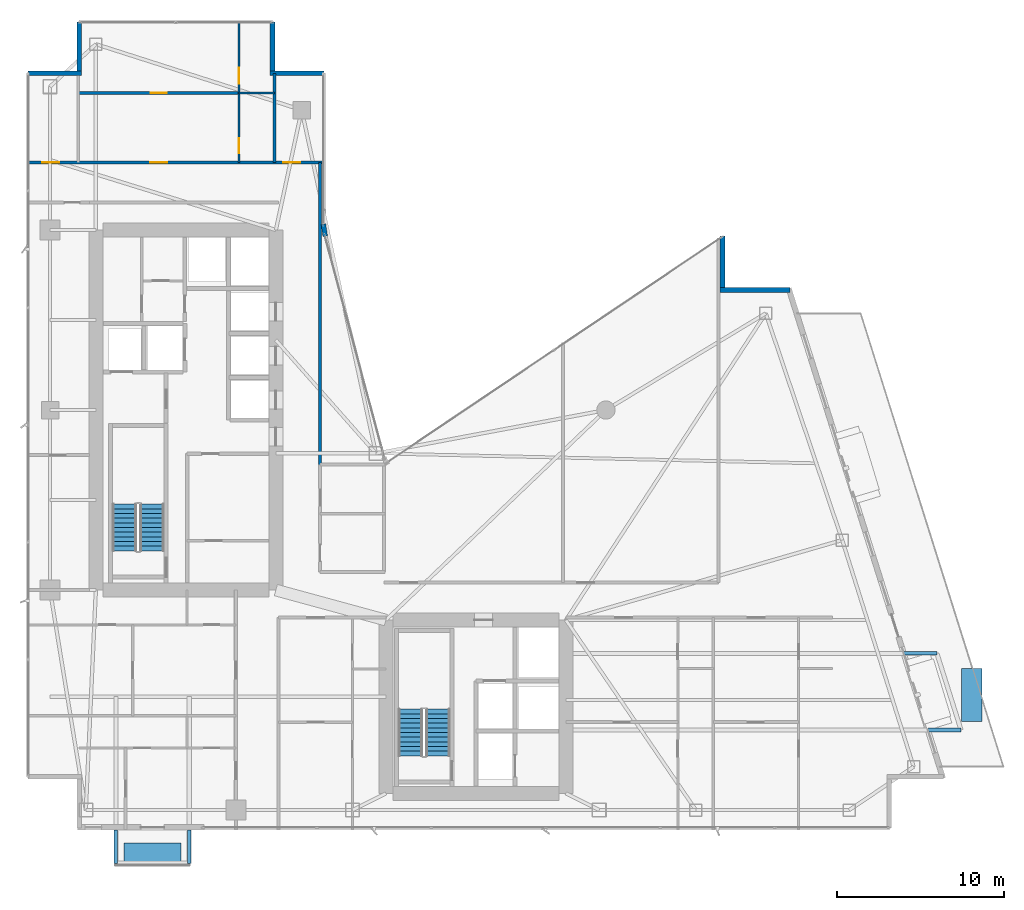
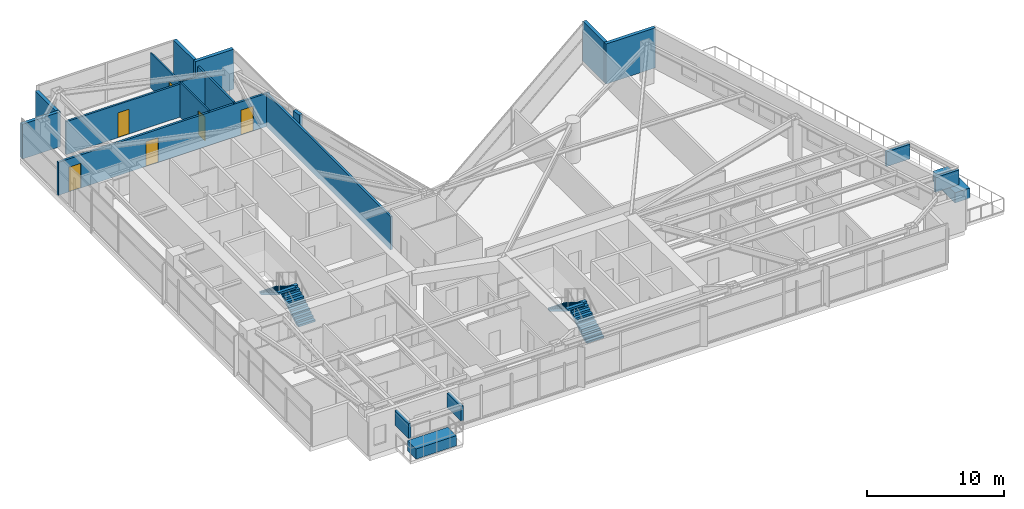
# One storey, part 27 of 30: 13 walls, 6 discrete accessories, 6 doors, 4 stair flights, 6 openings, 2 elements without a shape of their own.
"""IFC4 building model written with IfcOpenShell, lengths in metres."""

from ifc_helpers import new_model, si_unit, direction, frame, frame_2d, origin, origin_2d, place, context, subcontext, project, spatial, polyline, rectangle, outline, extrude, material, layer, layer_set, type_object, element, fill, aggregate, save


model = new_model("IFC4")

# Units and contexts
model_context = context("Model", 3, precision=1e-05, world=origin(), true_north=direction((0.0, 1.0)))
body_context = subcontext(model_context, "Body", "Model", "MODEL_VIEW")
ifc_project = project(units=[si_unit("LENGTHUNIT", "METRE"), si_unit("AREAUNIT", "SQUARE_METRE"), si_unit("VOLUMEUNIT", "CUBIC_METRE"), si_unit("PLANEANGLEUNIT", "RADIAN"), si_unit("MASSUNIT", "GRAM", prefix="KILO")], contexts=[model_context])

# Site, building, storey
site_placement = place(None, origin())
site = spatial("IfcSite", under=ifc_project, at=site_placement, CompositionType="ELEMENT")
building_placement = place(site_placement, origin())
building = spatial("IfcBuilding", under=site, at=building_placement, Name="Calvorn Quay Hotel", CompositionType="ELEMENT")
storey_placement = place(building_placement, frame((0.0, 0.0, 191.300048828125)))
storey = spatial("IfcBuildingStorey", under=building, at=storey_placement, Name="L47", CompositionType="ELEMENT", Elevation=191.300048828125)

# Wall, openings, doors
ifc_material_1 = material(Name="Acoustic Fireboard Steel-Stud Partition", Category="steel")
ifc_layer_1 = layer(ifc_material_1, 0.179931640625)
ifc_layer_set_1 = layer_set([ifc_layer_1], Name="WL-CORR-FIRE-180")
wall_type_1 = type_object("IfcWallType", Name="WL-CORR-FIRE-180", PredefinedType="PARTITIONING", material=ifc_layer_set_1)
wall_1_placement = place(storey_placement, frame((0.080078125, 42.449951171875, 0.0), z_axis=(0.0, 0.0, 1.0), x_axis=(1.0, 0.0, 0.0)))
wall_1 = element("IfcWall", 1, at=wall_1_placement, inside=storey, type_object=wall_type_1, Name="Partition Wall L47-WL-CORR-NW-N", PredefinedType="PARTITIONING", context=body_context, shape_type="SweptSolid", body=[
    extrude(rectangle(XDim=17.77001953125, YDim=0.179931640625, at=frame_2d((8.885009765625, 0.0))), origin(), (0.0, 0.0, 1.0), 2.93994140625),
])
opening_1_placement = place(wall_1_placement, frame((0.89990234375, 0.0, 0.0)))
opening_1 = element("IfcOpeningElement", 2, at=opening_1_placement, cuts=wall_1, Name="Opening D-L47-NWW", PredefinedType="OPENING", context=body_context, shape_type="SweptSolid", body=[
    extrude(rectangle(XDim=1.02001953125, YDim=2.199951171875, at=frame_2d((0.510009765625, 1.10009765625))), frame((0.0, 0.099853515625, 0.0), z_axis=(0.0, -1.0, 0.0), x_axis=(1.0, 0.0, 0.0)), (0.0, 0.0, 1.0), 0.199951171875),
])
opening_2_placement = place(wall_1_placement, frame((7.3798828125, 0.0, 0.0)))
opening_2 = element("IfcOpeningElement", 3, at=opening_2_placement, cuts=wall_1, Name="Opening D-L47-U04", PredefinedType="OPENING", context=body_context, shape_type="SweptSolid", body=[
    extrude(rectangle(XDim=1.02001953125, YDim=2.199951171875, at=frame_2d((0.510009765625, 1.10009765625))), frame((0.0, 0.099853515625, 0.0), z_axis=(0.0, -1.0, 0.0), x_axis=(1.0, 0.0, 0.0)), (0.0, 0.0, 1.0), 0.199951171875),
])
opening_3_placement = place(wall_1_placement, frame((15.3701171875, 0.0, 0.0)))
opening_3 = element("IfcOpeningElement", 4, at=opening_3_placement, cuts=wall_1, Name="Opening D-L47-NWE", PredefinedType="OPENING", context=body_context, shape_type="SweptSolid", body=[
    extrude(rectangle(XDim=1.02001953125, YDim=2.199951171875, at=frame_2d((0.510009765625, 1.10009765625))), frame((0.0, 0.099853515625, 0.0), z_axis=(0.0, -1.0, 0.0), x_axis=(1.0, 0.0, 0.0)), (0.0, 0.0, 1.0), 0.199951171875),
])
ifc_material_2 = material(Name="Solid-Core Walnut Veneer Hotel Fire Door")
door_type_1 = type_object("IfcDoorType", Name="DR-GUEST-ENTRY-1020", OperationType="NOTDEFINED", PredefinedType="DOOR", material=ifc_material_2)
door_1_placement = place(opening_1_placement, origin())
door_1 = element("IfcDoor", 5, at=door_1_placement, inside=storey, type_object=door_type_1, Name="West Corner Study Door (L47)", OperationType="SINGLE_SWING_LEFT", OverallHeight=2.199951171875, OverallWidth=1.02001953125, PredefinedType="DOOR", context=body_context, shape_type="SweptSolid", body=[
    extrude(rectangle(XDim=1.02001953125, YDim=2.199951171875, at=frame_2d((0.510009765625, 1.10009765625))), frame((0.0, 0.02490234375, 0.0), z_axis=(0.0, -1.0, 0.0), x_axis=(1.0, 0.0, 0.0)), (0.0, 0.0, 1.0), 0.050048828125),
])
fill(opening_1, door_1)
door_2_placement = place(opening_2_placement, origin())
door_2 = element("IfcDoor", 6, at=door_2_placement, inside=storey, type_object=door_type_1, Name="North-West Unit Door U04 (L47)", OperationType="SINGLE_SWING_RIGHT", OverallHeight=2.199951171875, OverallWidth=1.02001953125, PredefinedType="DOOR", context=body_context, shape_type="SweptSolid", body=[
    extrude(rectangle(XDim=1.02001953125, YDim=2.199951171875, at=frame_2d((0.510009765625, 1.10009765625))), frame((0.0, 0.02490234375, 0.0), z_axis=(0.0, -1.0, 0.0), x_axis=(1.0, 0.0, 0.0)), (0.0, 0.0, 1.0), 0.050048828125),
])
fill(opening_2, door_2)
door_3_placement = place(opening_3_placement, origin())
door_3 = element("IfcDoor", 7, at=door_3_placement, inside=storey, type_object=door_type_1, Name="Inner Court Study Door (L47)", OperationType="SINGLE_SWING_RIGHT", OverallHeight=2.199951171875, OverallWidth=1.02001953125, PredefinedType="DOOR", context=body_context, shape_type="SweptSolid", body=[
    extrude(rectangle(XDim=1.02001953125, YDim=2.199951171875, at=frame_2d((0.510009765625, 1.10009765625))), frame((0.0, 0.02490234375, 0.0), z_axis=(0.0, -1.0, 0.0), x_axis=(1.0, 0.0, 0.0)), (0.0, 0.0, 1.0), 0.050048828125),
])
fill(opening_3, door_3)

# Walls
wall_2_placement = place(storey_placement, frame((17.64990234375, 24.300048828125, 0.0), z_axis=(0.0, 0.0, 1.0), x_axis=(0.0, 1.0, 0.0)))
element("IfcWall", 8, at=wall_2_placement, inside=storey, type_object=wall_type_1, Name="Partition Wall L47-WL-NW-CLOSURE-E", PredefinedType="PARTITIONING", context=body_context, shape_type="SweptSolid", body=[
    extrude(rectangle(XDim=18.14990234375, YDim=0.179931640625, at=frame_2d((9.074951171875, 0.0))), origin(), (0.0, 0.0, 1.0), 2.93994140625),
])
ifc_material_3 = material(Name="Moisture-Resistant Tile-Backed Partition")
ifc_layer_2 = layer(ifc_material_3, 0.125)
ifc_layer_set_2 = layer_set([ifc_layer_2], Name="WL-ENSUITE-125")
wall_type_2 = type_object("IfcWallType", Name="WL-ENSUITE-125", PredefinedType="PARTITIONING", material=ifc_layer_set_2)
wall_3_placement = place(storey_placement, frame((12.7900390625, 46.6201171875, 0.0), z_axis=(0.0, 0.0, 1.0), x_axis=(1.0, 0.0, 0.0)))
element("IfcWall", 9, at=wall_3_placement, inside=storey, type_object=wall_type_2, Name="Partition Wall L47-WL-U04-BDV", PredefinedType="PARTITIONING", context=body_context, shape_type="SweptSolid", body=[
    extrude(rectangle(XDim=2.1298828125, YDim=0.125, at=frame_2d((1.06494140625, 0.0))), origin(), (0.0, 0.0, 1.0), 3.08984375),
])

# Wall, openings, doors
wall_4_placement = place(storey_placement, frame((12.7900390625, 42.449951171875, 0.0), z_axis=(0.0, 0.0, 1.0), x_axis=(0.0, 1.0, 0.0)))
wall_4 = element("IfcWall", 10, at=wall_4_placement, inside=storey, type_object=wall_type_2, Name="Partition Wall L47-WL-U04-BV", PredefinedType="PARTITIONING", context=body_context, shape_type="SweptSolid", body=[
    extrude(rectangle(XDim=8.489990234375, YDim=0.125, at=frame_2d((4.2451171875, 0.0))), origin(), (0.0, 0.0, 1.0), 3.08984375),
])
opening_4_placement = place(wall_4_placement, frame((0.550048828125, 0.0, 0.0)))
opening_4 = element("IfcOpeningElement", 11, at=opening_4_placement, cuts=wall_4, Name="Opening D-L47-E04", PredefinedType="OPENING", context=body_context, shape_type="SweptSolid", body=[
    extrude(rectangle(XDim=0.89990234375, YDim=2.14990234375, at=frame_2d((0.449951171875, 1.074951171875))), frame((0.0, 0.072509765625, 0.0), z_axis=(0.0, -1.0, 0.0), x_axis=(1.0, 0.0, 0.0)), (0.0, 0.0, 1.0), 0.14501953125),
])
opening_5_placement = place(wall_4_placement, frame((4.719970703125, 0.0, 0.0)))
opening_5 = element("IfcOpeningElement", 12, at=opening_5_placement, cuts=wall_4, Name="Opening D-L47-S04", PredefinedType="OPENING", context=body_context, shape_type="SweptSolid", body=[
    extrude(rectangle(XDim=0.9599609375, YDim=2.199951171875, at=frame_2d((0.47998046875, 1.10009765625))), frame((0.0, 0.072509765625, 0.0), z_axis=(0.0, -1.0, 0.0), x_axis=(1.0, 0.0, 0.0)), (0.0, 0.0, 1.0), 0.14501953125),
])
ifc_material_4 = material(Name="Moisture-Sealed Timber En-Suite Door", Category="wood")
door_type_2 = type_object("IfcDoorType", Name="DR-ENSUITE-900", OperationType="NOTDEFINED", PredefinedType="DOOR", material=ifc_material_4)
door_4_placement = place(opening_4_placement, origin())
door_4 = element("IfcDoor", 13, at=door_4_placement, inside=storey, type_object=door_type_2, Name="En-Suite Door 04", OperationType="SINGLE_SWING_LEFT", OverallHeight=2.14990234375, OverallWidth=0.89990234375, PredefinedType="DOOR", context=body_context, shape_type="SweptSolid", body=[
    extrude(rectangle(XDim=0.89990234375, YDim=2.14990234375, at=frame_2d((0.449951171875, 1.074951171875))), frame((0.0, 0.02490234375, 0.0), z_axis=(0.0, -1.0, 0.0), x_axis=(1.0, 0.0, 0.0)), (0.0, 0.0, 1.0), 0.050048828125),
])
fill(opening_4, door_4)
ifc_material_5 = material(Name="Solid Timber Internal Suite Door", Category="wood")
door_type_3 = type_object("IfcDoorType", Name="DR-SUITE-INT-960", OperationType="NOTDEFINED", PredefinedType="DOOR", material=ifc_material_5)
door_5_placement = place(opening_5_placement, origin())
door_5 = element("IfcDoor", 14, at=door_5_placement, inside=storey, type_object=door_type_3, Name="Harbour Dining Den Door 04", OperationType="SINGLE_SWING_RIGHT", OverallHeight=2.199951171875, OverallWidth=0.9599609375, PredefinedType="DOOR", context=body_context, shape_type="SweptSolid", body=[
    extrude(rectangle(XDim=0.9599609375, YDim=2.199951171875, at=frame_2d((0.47998046875, 1.10009765625))), frame((0.0, 0.02490234375, 0.0), z_axis=(0.0, -1.0, 0.0), x_axis=(1.0, 0.0, 0.0)), (0.0, 0.0, 1.0), 0.050048828125),
])
fill(opening_5, door_5)

# Walls
ifc_material_6 = material(Name="Concrete C40", Category="concrete")
ifc_layer_3 = layer(ifc_material_6, 0.320068359375)
ifc_layer_set_3 = layer_set([ifc_layer_3], Name="WL-EXT-SPANDREL-320")
wall_type_3 = type_object("IfcWallType", Name="WL-EXT-SPANDREL-320", PredefinedType="SOLIDWALL", material=ifc_layer_set_3)
wall_5_placement = place(storey_placement, frame((17.9619140625, 38.030029296875, 0.0), z_axis=(0.0, 0.0, 1.0), x_axis=(-0.15141125477, 0.988470855377, 0.0)))
element("IfcWall", 15, at=wall_5_placement, inside=storey, type_object=wall_type_3, Name="Inner Court Corner Pier L47-ICJ2", PredefinedType="SOLIDWALL", context=body_context, shape_type="SweptSolid", body=[
    extrude(rectangle(XDim=0.738525390625, YDim=0.280029296875, at=frame_2d((0.369140625, 0.0))), origin(), (0.0, 0.0, 1.0), 3.56005859375),
])
wall_6_placement = place(storey_placement, frame((45.840087890625, 34.800048828125, 0.0), z_axis=(0.0, 0.0, 1.0), x_axis=(-1.0, 0.0, 0.0)))
element("IfcWall", 16, at=wall_6_placement, inside=storey, type_object=wall_type_3, Name="Notched Corner Spandrel L47-NE1", PredefinedType="SOLIDWALL", context=body_context, shape_type="SweptSolid", body=[
    extrude(rectangle(XDim=4.18017578125, YDim=0.280029296875, at=frame_2d((2.090087890625, 0.0))), origin(), (0.0, 0.0, 1.0), 3.56005859375),
])
wall_7_placement = place(storey_placement, frame((41.800048828125, 34.93994140625, 0.0), z_axis=(0.0, 0.0, 1.0), x_axis=(0.0, 1.0, 0.0)))
element("IfcWall", 17, at=wall_7_placement, inside=storey, type_object=wall_type_3, Name="Notched Corner Spandrel L47-NE2", PredefinedType="SOLIDWALL", context=body_context, shape_type="SweptSolid", body=[
    extrude(rectangle(XDim=3.10009765625, YDim=0.280029296875, at=frame_2d((1.550048828125, 0.0))), origin(), (0.0, 0.0, 1.0), 3.56005859375),
])
wall_8_placement = place(storey_placement, frame((17.89990234375, 47.800048828125, 0.0), z_axis=(0.0, 0.0, 1.0), x_axis=(-1.0, 0.0, 0.0)))
element("IfcWall", 18, at=wall_8_placement, inside=storey, type_object=wall_type_3, Name="Notched Corner Spandrel L47-NWE1", PredefinedType="SOLIDWALL", context=body_context, shape_type="SweptSolid", body=[
    extrude(rectangle(XDim=3.239990234375, YDim=0.280029296875, at=frame_2d((1.6201171875, 0.0))), origin(), (0.0, 0.0, 1.0), 3.56005859375),
])
wall_9_placement = place(storey_placement, frame((14.800048828125, 47.93994140625, 0.0), z_axis=(0.0, 0.0, 1.0), x_axis=(0.0, 1.0, 0.0)))
element("IfcWall", 19, at=wall_9_placement, inside=storey, type_object=wall_type_3, Name="Notched Corner Spandrel L47-NWE2", PredefinedType="SOLIDWALL", context=body_context, shape_type="SweptSolid", body=[
    extrude(rectangle(XDim=2.93994140625, YDim=0.280029296875, at=frame_2d((1.469970703125, 0.0))), origin(), (0.0, 0.0, 1.0), 3.56005859375),
])
wall_10_placement = place(storey_placement, frame((3.199951171875, 50.8798828125, 0.0), z_axis=(0.0, 0.0, 1.0), x_axis=(0.0, -1.0, 0.0)))
element("IfcWall", 20, at=wall_10_placement, inside=storey, type_object=wall_type_3, Name="Notched Corner Spandrel L47-NW1", PredefinedType="SOLIDWALL", context=body_context, shape_type="SweptSolid", body=[
    extrude(rectangle(XDim=2.93994140625, YDim=0.280029296875, at=frame_2d((1.469970703125, 0.0))), origin(), (0.0, 0.0, 1.0), 3.08984375),
])
wall_11_placement = place(storey_placement, frame((3.340087890625, 47.800048828125, 0.0), z_axis=(0.0, 0.0, 1.0), x_axis=(-1.0, 0.0, 0.0)))
element("IfcWall", 21, at=wall_11_placement, inside=storey, type_object=wall_type_3, Name="Notched Corner Spandrel L47-NW2", PredefinedType="SOLIDWALL", context=body_context, shape_type="SweptSolid", body=[
    extrude(rectangle(XDim=3.219970703125, YDim=0.280029296875, at=frame_2d((1.60986328125, 0.0))), origin(), (0.0, 0.0, 1.0), 3.08984375),
])
ifc_material_7 = material(Name="Double-Stud Acoustic Gypsum Partition")
ifc_layer_4 = layer(ifc_material_7, 0.159912109375)
ifc_layer_set_4 = layer_set([ifc_layer_4], Name="WL-INTERSUITE-160")
wall_type_4 = type_object("IfcWallType", Name="WL-INTERSUITE-160", PredefinedType="PARTITIONING", material=ifc_layer_set_4)
wall_12_placement = place(storey_placement, frame((14.919921875, 42.449951171875, 0.0), z_axis=(0.0, 0.0, 1.0), x_axis=(0.0, 1.0, 0.0)))
element("IfcWall", 22, at=wall_12_placement, inside=storey, type_object=wall_type_4, Name="Partition Wall L47-WL-NW-DIV-E0", PredefinedType="PARTITIONING", context=body_context, shape_type="SweptSolid", body=[
    extrude(rectangle(XDim=5.35009765625, YDim=0.159912109375, at=frame_2d((2.675048828125, 0.0))), origin(), (0.0, 0.0, 1.0), 3.08984375),
])

# Wall, opening, door
wall_13_placement = place(storey_placement, frame((3.14990234375, 46.6201171875, 0.0), z_axis=(0.0, 0.0, 1.0), x_axis=(1.0, 0.0, 0.0)))
wall_13 = element("IfcWall", 23, at=wall_13_placement, inside=storey, type_object=wall_type_4, Name="Partition Wall L47-WL-U04-MSP", PredefinedType="PARTITIONING", context=body_context, shape_type="SweptSolid", body=[
    extrude(rectangle(XDim=9.64013671875, YDim=0.159912109375, at=frame_2d((4.820068359375, 0.0))), origin(), (0.0, 0.0, 1.0), 2.93994140625),
])
opening_6_placement = place(wall_13_placement, frame((4.340087890625, 0.0, 0.0)))
opening_6 = element("IfcOpeningElement", 24, at=opening_6_placement, cuts=wall_13, Name="Opening D-L47-M04", PredefinedType="OPENING", context=body_context, shape_type="SweptSolid", body=[
    extrude(rectangle(XDim=0.9599609375, YDim=2.199951171875, at=frame_2d((0.47998046875, 1.10009765625))), frame((0.0, 0.08984375, 0.0), z_axis=(0.0, -1.0, 0.0), x_axis=(1.0, 0.0, 0.0)), (0.0, 0.0, 1.0), 0.179931640625),
])
door_6_placement = place(opening_6_placement, origin())
door_6 = element("IfcDoor", 25, at=door_6_placement, inside=storey, type_object=door_type_3, Name="Suite Bedroom Door 04", OperationType="SINGLE_SWING_LEFT", OverallHeight=2.199951171875, OverallWidth=0.9599609375, PredefinedType="DOOR", context=body_context, shape_type="SweptSolid", body=[
    extrude(rectangle(XDim=0.9599609375, YDim=2.199951171875, at=frame_2d((0.47998046875, 1.10009765625))), frame((0.0, 0.02490234375, 0.0), z_axis=(0.0, -1.0, 0.0), x_axis=(1.0, 0.0, 0.0)), (0.0, 0.0, 1.0), 0.050048828125),
])
fill(opening_6, door_6)

# Stair, stair flights
ifc_material_8 = material(Name="Concrete C40", Category="concrete")
stair_type = type_object("IfcStairType", Name="STR-CORE-DOGLEG", PredefinedType="HALF_TURN_STAIR", material=ifc_material_8)
stair_1_placement = place(storey_placement, origin())
stair_1 = element("IfcStair", 26, at=stair_1_placement, inside=storey, type_object=stair_type, Name="L47 ST-W", PredefinedType="HALF_TURN_STAIR")
ifc_material_9 = material(Name="Concrete C40", Category="concrete")
stair_flight_type = type_object("IfcStairFlightType", Name="FLT-CORE-1550", PredefinedType="STRAIGHT", material=ifc_material_9)
stair_flight_1_placement = place(storey_placement, frame((7.574951171875, 19.14990234375, 0.0), z_axis=(0.0, 0.0, 1.0), x_axis=(0.0, 1.0, 0.0)))
stair_flight_1 = element("IfcStairFlight", 27, at=stair_flight_1_placement, type_object=stair_flight_type, Name="ST-W flight 1", NumberOfRisers=11, NumberOfTreads=10, PredefinedType="STRAIGHT", RiserHeight=0.172727273, TreadLength=0.28, context=body_context, shape_type="SweptSolid", body=[
    extrude(outline(polyline([(0.0, 0.0), (0.0, 0.172607421875), (0.280029296875, 0.172607421875), (0.280029296875, 0.345458984375), (0.56005859375, 0.345458984375), (0.56005859375, 0.51806640625), (0.840087890625, 0.51806640625), (0.840087890625, 0.69091796875), (1.1201171875, 0.69091796875), (1.1201171875, 0.863525390625), (1.39990234375, 0.863525390625), (1.39990234375, 1.036376953125), (1.679931640625, 1.036376953125), (1.679931640625, 1.208984375), (1.9599609375, 1.208984375), (1.9599609375, 1.3818359375), (2.239990234375, 1.3818359375), (2.239990234375, 1.554443359375), (2.52001953125, 1.554443359375), (2.52001953125, 1.727294921875), (2.800048828125, 1.727294921875), (2.800048828125, 1.89990234375), (2.800048828125, 1.551025390625), (0.285400390625, 0.0), (0.0, 0.0)])), frame((0.0, 0.72509765625, 0.0), z_axis=(0.0, -1.0, 0.0), x_axis=(1.0, 0.0, 0.0)), (0.0, 0.0, 1.0), 1.449951171875),
])
stair_flight_2_placement = place(storey_placement, frame((5.925048828125, 21.949951171875, 1.89990234375), z_axis=(0.0, 0.0, 1.0), x_axis=(0.0, -1.0, 0.0)))
stair_flight_2 = element("IfcStairFlight", 28, at=stair_flight_2_placement, type_object=stair_flight_type, Name="ST-W flight 2", NumberOfRisers=11, NumberOfTreads=10, PredefinedType="STRAIGHT", RiserHeight=0.172727273, TreadLength=0.28, context=body_context, shape_type="SweptSolid", body=[
    extrude(outline(polyline([(0.0, 0.0), (0.0, 0.172607421875), (0.280029296875, 0.172607421875), (0.280029296875, 0.345458984375), (0.56005859375, 0.345458984375), (0.56005859375, 0.51806640625), (0.840087890625, 0.51806640625), (0.840087890625, 0.69091796875), (1.1201171875, 0.69091796875), (1.1201171875, 0.863525390625), (1.39990234375, 0.863525390625), (1.39990234375, 1.036376953125), (1.679931640625, 1.036376953125), (1.679931640625, 1.208984375), (1.9599609375, 1.208984375), (1.9599609375, 1.3818359375), (2.239990234375, 1.3818359375), (2.239990234375, 1.554443359375), (2.52001953125, 1.554443359375), (2.52001953125, 1.727294921875), (2.800048828125, 1.727294921875), (2.800048828125, 1.89990234375), (2.800048828125, 1.551025390625), (0.285400390625, 0.0), (0.0, 0.0)])), frame((0.0, 0.72509765625, 0.0), z_axis=(0.0, -1.0, 0.0), x_axis=(1.0, 0.0, 0.0)), (0.0, 0.0, 1.0), 1.449951171875),
])
aggregate(stair_1, [stair_flight_1, stair_flight_2])

stair_2_placement = place(storey_placement, origin())
stair_2 = element("IfcStair", 29, at=stair_2_placement, inside=storey, type_object=stair_type, Name="L47 ST-E", PredefinedType="HALF_TURN_STAIR")
stair_flight_3_placement = place(storey_placement, frame((24.72509765625, 6.85009765625, 0.0), z_axis=(0.0, 0.0, 1.0), x_axis=(0.0, 1.0, 0.0)))
stair_flight_3 = element("IfcStairFlight", 30, at=stair_flight_3_placement, type_object=stair_flight_type, Name="ST-E flight 1", NumberOfRisers=11, NumberOfTreads=10, PredefinedType="STRAIGHT", RiserHeight=0.172727273, TreadLength=0.28, context=body_context, shape_type="SweptSolid", body=[
    extrude(outline(polyline([(0.0, 0.0), (0.0, 0.172607421875), (0.280029296875, 0.172607421875), (0.280029296875, 0.345458984375), (0.56005859375, 0.345458984375), (0.56005859375, 0.51806640625), (0.840087890625, 0.51806640625), (0.840087890625, 0.69091796875), (1.1201171875, 0.69091796875), (1.1201171875, 0.863525390625), (1.39990234375, 0.863525390625), (1.39990234375, 1.036376953125), (1.679931640625, 1.036376953125), (1.679931640625, 1.208984375), (1.9599609375, 1.208984375), (1.9599609375, 1.3818359375), (2.239990234375, 1.3818359375), (2.239990234375, 1.554443359375), (2.52001953125, 1.554443359375), (2.52001953125, 1.727294921875), (2.800048828125, 1.727294921875), (2.800048828125, 1.89990234375), (2.800048828125, 1.551025390625), (0.285400390625, 0.0), (0.0, 0.0)])), frame((0.0, 0.72509765625, 0.0), z_axis=(0.0, -1.0, 0.0), x_axis=(1.0, 0.0, 0.0)), (0.0, 0.0, 1.0), 1.449951171875),
])
stair_flight_4_placement = place(storey_placement, frame((23.074951171875, 9.64990234375, 1.89990234375), z_axis=(0.0, 0.0, 1.0), x_axis=(0.0, -1.0, 0.0)))
stair_flight_4 = element("IfcStairFlight", 31, at=stair_flight_4_placement, type_object=stair_flight_type, Name="ST-E flight 2", NumberOfRisers=11, NumberOfTreads=10, PredefinedType="STRAIGHT", RiserHeight=0.172727273, TreadLength=0.28, context=body_context, shape_type="SweptSolid", body=[
    extrude(outline(polyline([(0.0, 0.0), (0.0, 0.172607421875), (0.280029296875, 0.172607421875), (0.280029296875, 0.345458984375), (0.56005859375, 0.345458984375), (0.56005859375, 0.51806640625), (0.840087890625, 0.51806640625), (0.840087890625, 0.69091796875), (1.1201171875, 0.69091796875), (1.1201171875, 0.863525390625), (1.39990234375, 0.863525390625), (1.39990234375, 1.036376953125), (1.679931640625, 1.036376953125), (1.679931640625, 1.208984375), (1.9599609375, 1.208984375), (1.9599609375, 1.3818359375), (2.239990234375, 1.3818359375), (2.239990234375, 1.554443359375), (2.52001953125, 1.554443359375), (2.52001953125, 1.727294921875), (2.800048828125, 1.727294921875), (2.800048828125, 1.89990234375), (2.800048828125, 1.551025390625), (0.285400390625, 0.0), (0.0, 0.0)])), frame((0.0, 0.72509765625, 0.0), z_axis=(0.0, -1.0, 0.0), x_axis=(1.0, 0.0, 0.0)), (0.0, 0.0, 1.0), 1.449951171875),
])
aggregate(stair_2, [stair_flight_3, stair_flight_4])

# Discrete accessories
ifc_material_10 = material(Name="Steel Q355B", Category="steel")
discrete_accessory_type_1 = type_object("IfcDiscreteAccessoryType", Name="ACC-BALC-STRUT", PredefinedType="BRACKET", material=ifc_material_10)
for number, where, z_axis, x_axis, name in (
    (32, (55.113037109375, 8.39990234375, 2.01513671875), (0.0, 0.0, 1.0), (1.0, 0.0, 0.0), "Exterior Balcony Steel Bracket L48-BALC-E-A"),
    (33, (53.6630859375, 13.0, 2.01513671875), (0.0, 0.0, 1.0), (1.0, 0.0, 0.0), "Exterior Balcony Steel Bracket L48-BALC-E-B"),
):
    element("IfcDiscreteAccessory", number, at=place(storey_placement, frame(where, z_axis=z_axis, x_axis=x_axis)), inside=storey, type_object=discrete_accessory_type_1, Name=name, PredefinedType="BRACKET", context=body_context, shape_type="SweptSolid", body=[
        extrude(rectangle(XDim=1.989990234375, YDim=0.219970703125, at=origin_2d()), origin(), (0.0, 0.0, 1.0), 1.300048828125),
    ])
for number, where, z_axis, x_axis, name in (
    (34, (5.39990234375, 1.405029296875, 2.01513671875), (0.0, 0.0, 1.0), (1.0, 0.0, 0.0), "Exterior Balcony Steel Bracket L48-BALC-S-A"),
    (35, (9.800048828125, 1.405029296875, 2.01513671875), (0.0, 0.0, 1.0), (1.0, 0.0, 0.0), "Exterior Balcony Steel Bracket L48-BALC-S-B"),
):
    element("IfcDiscreteAccessory", number, at=place(storey_placement, frame(where, z_axis=z_axis, x_axis=x_axis)), inside=storey, type_object=discrete_accessory_type_1, Name=name, PredefinedType="BRACKET", context=body_context, shape_type="SweptSolid", body=[
        extrude(rectangle(XDim=0.219970703125, YDim=1.989990234375, at=origin_2d()), origin(), (0.0, 0.0, 1.0), 1.300048828125),
    ])
ifc_material_11 = material(Name="Precast concrete C40", Category="concrete")
discrete_accessory_type_2 = type_object("IfcDiscreteAccessoryType", Name="ACC-TREE-PLANTER", PredefinedType="USERDEFINED", material=ifc_material_11)
discrete_accessory_1_placement = place(storey_placement, frame((7.60009765625, 0.989990234375, 0.0), z_axis=(0.0, 0.0, 1.0), x_axis=(1.0, 0.0, 0.0)))
element("IfcDiscreteAccessory", 36, at=discrete_accessory_1_placement, inside=storey, type_object=discrete_accessory_type_2, Name="Subtropical Tree Structural Planter L47-BALC-S", ObjectType="PLANTER", PredefinedType="USERDEFINED", context=body_context, shape_type="SweptSolid", body=[
    extrude(rectangle(XDim=3.39990234375, YDim=1.25, at=origin_2d()), origin(), (0.0, 0.0, 1.0), 0.89990234375),
])
discrete_accessory_2_placement = place(storey_placement, frame((56.74609375, 10.5, 0.0), z_axis=(0.0, 0.0, 1.0), x_axis=(1.0, 0.0, 0.0)))
element("IfcDiscreteAccessory", 37, at=discrete_accessory_2_placement, inside=storey, type_object=discrete_accessory_type_2, Name="Sawtooth Terrace Tree Planter (L47)", ObjectType="PLANTER", PredefinedType="USERDEFINED", context=body_context, shape_type="SweptSolid", body=[
    extrude(rectangle(XDim=1.25, YDim=3.199951171875, at=origin_2d()), origin(), (0.0, 0.0, 1.0), 0.89990234375),
])

save(model, "model.ifc")
